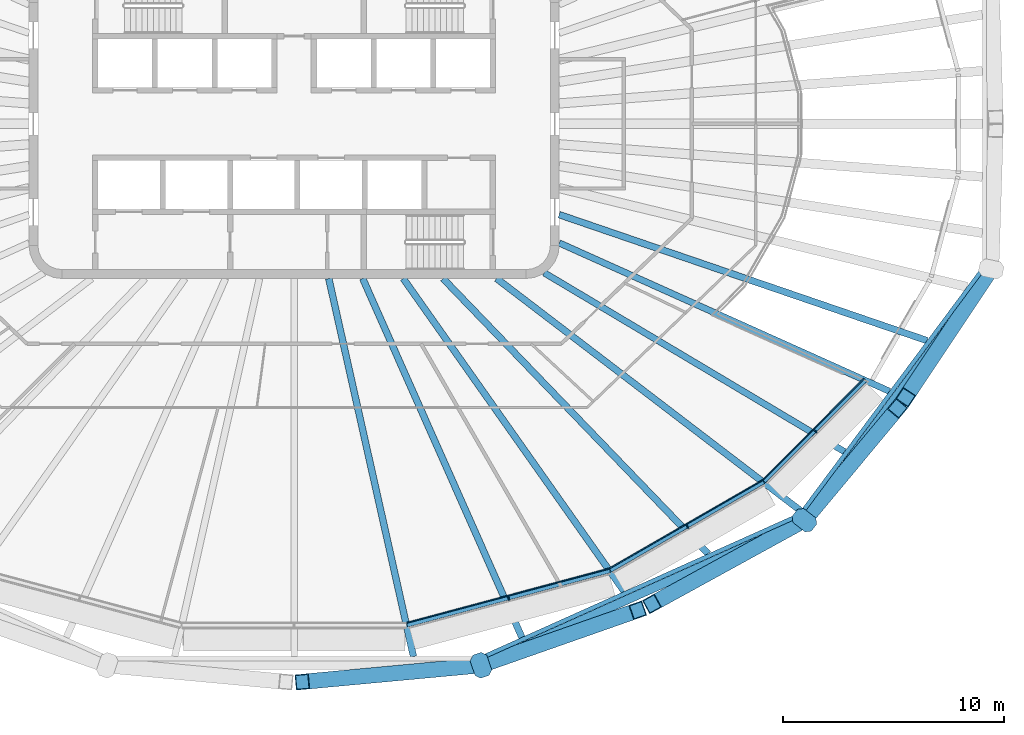
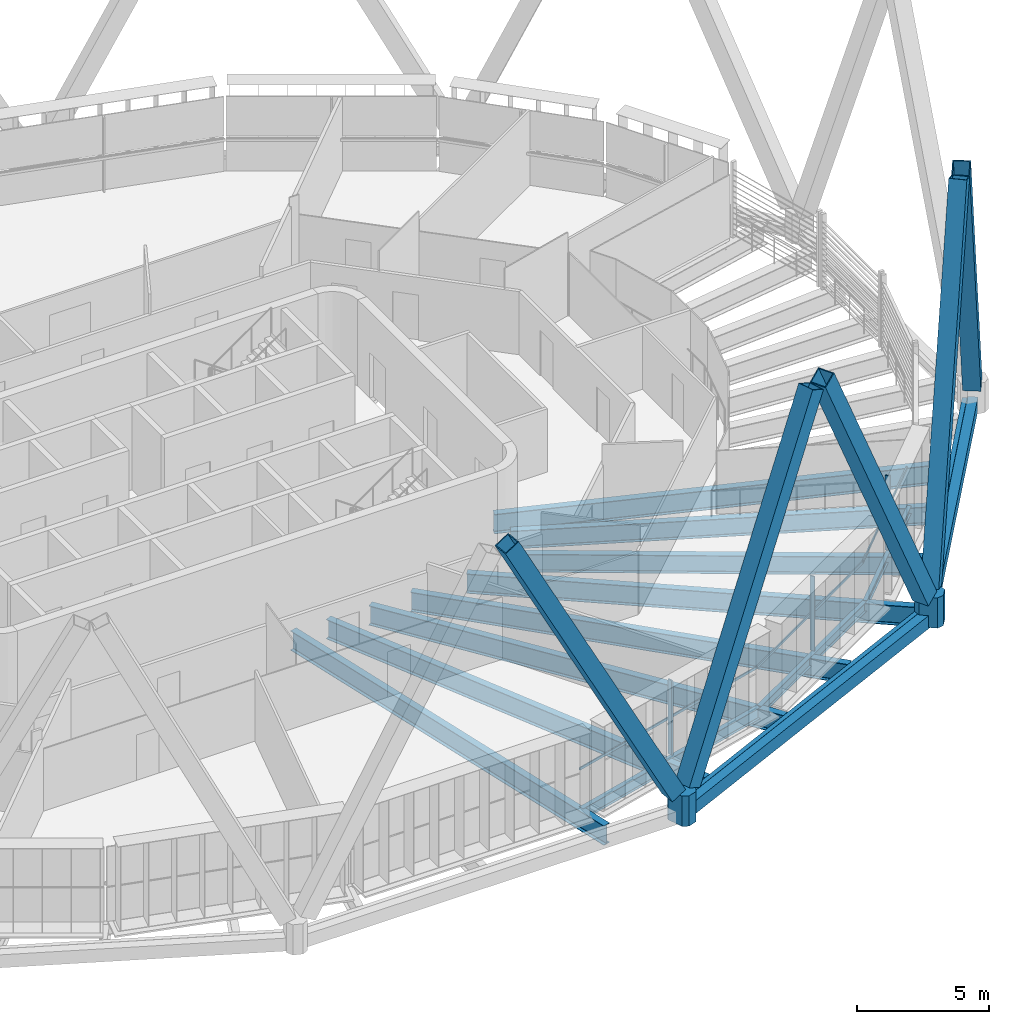
# One storey, part 4 of 20: 15 beams, 13 members, 3 elements without a shape of their own.
"""IFC4 building model written with IfcOpenShell, lengths in metres."""

import ifcopenshell
import ifcopenshell.guid

model = None  # the IFC model being written
_history = None  # IfcOwnerHistory: only IFC2X3 demands one
_inside = {}  # id of a spatial element -> (the spatial element, [elements in it])
_under = {}  # id of a project, library or spatial element -> (it, [spatial elements below it])
_declared = {}  # id of a project -> (the project, [libraries it declares])
_typed = {}  # id of a type object -> (the type object, [elements of that type])
_made_of = {}  # id of a material, layer set ... -> (it, [elements and type objects made of it])


def new_model(schema):
    """Start an empty IFC model of exactly this schema.

    Asked for "IFC4X3", IfcOpenShell would pick the latest addendum, in which some entities
    have other attributes; the version numbers below select the first issue.
    IFC2X3 requires an IfcOwnerHistory on every rooted entity: one is made here for all.
    """
    global model, _history
    if schema == "IFC4X3":
        model = ifcopenshell.file(schema_version=(4, 3, 0, 0))
    else:
        model = ifcopenshell.file(schema=schema)
    _inside.clear()
    _under.clear()
    _declared.clear()
    _typed.clear()
    _made_of.clear()
    _history = None
    if model.schema == "IFC2X3":
        org = make("IfcOrganization", Name="unknown")
        user = make(
            "IfcPersonAndOrganization",
            ThePerson=make("IfcPerson", FamilyName="unknown"),
            TheOrganization=org,
        )
        app = make(
            "IfcApplication",
            ApplicationDeveloper=org,
            Version="unknown",
            ApplicationFullName="unknown",
            ApplicationIdentifier="unknown",
        )
        _history = make(
            "IfcOwnerHistory",
            OwningUser=user,
            OwningApplication=app,
            ChangeAction="ADDED",
            CreationDate=0,
        )
    return model


def make(cls, **values):
    """One entity of the class cls with the attributes given. An attribute that is None is left unset."""
    return model.create_entity(
        cls, **{name: value for name, value in values.items() if value is not None}
    )


def rooted(cls, **values):
    """An entity with a GlobalId (a new one), such as an element, a storey or a relation."""
    return make(cls, GlobalId=ifcopenshell.guid.new(), OwnerHistory=_history, **values)


def si_unit(unit_type, name, prefix=None):
    """IfcSIUnit, for example si_unit("LENGTHUNIT", "METRE", prefix="MILLI")."""
    return make("IfcSIUnit", UnitType=unit_type, Prefix=prefix, Name=name)


def assignment(units):
    """IfcUnitAssignment: the units of a project."""
    return None if units is None else make("IfcUnitAssignment", Units=units)


def point(xyz):
    """IfcCartesianPoint."""
    return None if xyz is None else make("IfcCartesianPoint", Coordinates=xyz)


def direction(xyz):
    """IfcDirection."""
    return None if xyz is None else make("IfcDirection", DirectionRatios=xyz)


def frame(location, z_axis=None, x_axis=None):
    """IfcAxis2Placement3D, a coordinate frame: its origin and axes. An axis left out is left unset."""
    return make(
        "IfcAxis2Placement3D",
        Location=point(location),
        Axis=direction(z_axis),
        RefDirection=direction(x_axis),
    )


def frame_2d(location, x_axis=None):
    """IfcAxis2Placement2D, a coordinate frame in the plane: its origin and x axis."""
    return make(
        "IfcAxis2Placement2D", Location=point(location), RefDirection=direction(x_axis)
    )


def origin():
    """The frame at (0, 0, 0) with its axes left unset."""
    return frame((0.0, 0.0, 0.0))


def origin_2d():
    """The frame at (0, 0) in the plane with its x axis left unset."""
    return frame_2d((0.0, 0.0))


def place(relative_to, where):
    """IfcLocalPlacement: puts the frame where relative to a parent placement (None: the world)."""
    return make(
        "IfcLocalPlacement", PlacementRelTo=relative_to, RelativePlacement=where
    )


def context(
    kind, dimensions, precision=None, world=None, true_north=None, identifier=None
):
    """IfcGeometricRepresentationContext, for example the 3D "Model" context."""
    return make(
        "IfcGeometricRepresentationContext",
        ContextIdentifier=identifier,
        ContextType=kind,
        CoordinateSpaceDimension=dimensions,
        Precision=precision,
        WorldCoordinateSystem=world,
        TrueNorth=true_north,
    )


def subcontext(parent, identifier, kind, view, scale=None):
    """IfcGeometricRepresentationSubContext, for example "Body" below "Model"."""
    return make(
        "IfcGeometricRepresentationSubContext",
        ContextIdentifier=identifier,
        ContextType=kind,
        ParentContext=parent,
        TargetScale=scale,
        TargetView=view,
    )


def project(units=None, contexts=None):
    """IfcProject with its units and contexts."""
    return rooted(
        "IfcProject",
        Name="project",
        RepresentationContexts=contexts,
        UnitsInContext=assignment(units),
    )


def spatial(cls, under=None, at=None, **own):
    """A site, building, storey or space (cls), placed at a placement, below another one or the project."""
    s = rooted(cls, ObjectPlacement=at, **own)
    if under is not None:
        _under.setdefault(under.id(), (under, []))[1].append(s)
    return s


def polyline(points):
    """IfcPolyline through the points."""
    return make("IfcPolyline", Points=[point(p) for p in points])


def profile(cls, at=None, kind="AREA", **sizes):
    """A parametric profile (cls). Its sizes go by their IFC names, for example OverallWidth=200.0."""
    return make(cls, ProfileType=kind, Position=at, **sizes)


def rectangle(**sizes):
    """IfcRectangleProfileDef."""
    return profile("IfcRectangleProfileDef", **sizes)


def hollow_rectangle(**sizes):
    """IfcRectangleHollowProfileDef."""
    return profile("IfcRectangleHollowProfileDef", **sizes)


def i_section(**sizes):
    """IfcIShapeProfileDef."""
    return profile("IfcIShapeProfileDef", **sizes)


def outline(outer, holes=None, kind="AREA"):
    """IfcArbitraryClosedProfileDef: a profile drawn as a closed curve; with holes, ...WithVoids."""
    if holes is None:
        return make("IfcArbitraryClosedProfileDef", ProfileType=kind, OuterCurve=outer)
    return make(
        "IfcArbitraryProfileDefWithVoids",
        ProfileType=kind,
        OuterCurve=outer,
        InnerCurves=holes,
    )


def extrude(swept, where, along, depth):
    """IfcExtrudedAreaSolid: the profile swept, set in the frame where, extruded along a direction by depth."""
    return make(
        "IfcExtrudedAreaSolid",
        SweptArea=swept,
        Position=where,
        ExtrudedDirection=direction(along),
        Depth=depth,
    )


def shape(context_of_items, identifier, shape_type, items):
    """IfcShapeRepresentation: the items that make up one representation, for example the "Body"."""
    return make(
        "IfcShapeRepresentation",
        ContextOfItems=context_of_items,
        RepresentationIdentifier=identifier,
        RepresentationType=shape_type,
        Items=items,
    )


def material(Name=None, Category=None):
    """IfcMaterial."""
    return make("IfcMaterial", Name=Name, Category=Category)


def layer(
    of_material, thickness, ventilated=None, Name=None, Category=None, Priority=None
):
    """IfcMaterialLayer: one layer of a wall or slab, of a material (None: an air gap)."""
    return make(
        "IfcMaterialLayer",
        Material=of_material,
        LayerThickness=thickness,
        IsVentilated=ventilated,
        Name=Name,
        Category=Category,
        Priority=Priority,
    )


def layer_set(layers, Name=None):
    """IfcMaterialLayerSet."""
    return make("IfcMaterialLayerSet", MaterialLayers=layers, LayerSetName=Name)


def material_profile(
    of_material, cross_section, Name=None, Category=None, Priority=None
):
    """IfcMaterialProfile: a cross section and its material."""
    return make(
        "IfcMaterialProfile",
        Name=Name,
        Material=of_material,
        Profile=cross_section,
        Priority=Priority,
        Category=Category,
    )


def profile_set(profiles, Name=None, composite=None):
    """IfcMaterialProfileSet."""
    return make(
        "IfcMaterialProfileSet",
        Name=Name,
        MaterialProfiles=profiles,
        CompositeProfile=composite,
    )


def made_of(thing, what):
    """Note that an element or type object is made of a material, layer set ...; save() writes the relation."""
    if what is not None:
        _made_of.setdefault(what.id(), (what, []))[1].append(thing)
    return thing


def type_object(cls, material=None, **own):
    """A type object (cls), such as IfcWallType, which elements share."""
    return made_of(rooted(cls, **own), material)


def element(
    cls,
    number,
    at=None,
    inside=None,
    cuts=None,
    type_object=None,
    material=None,
    context=None,
    identifier="Body",
    shape_type=None,
    held_by="IfcProductDefinitionShape",
    body=None,
    shapes=None,
    **own,
):
    """One element of the class cls, such as IfcWall. Its Tag is "e" and its number.

    at: its placement. inside: the storey or other place that contains it. cuts: it is an
    opening in that element (IfcRelVoidsElement). A single representation is given by context,
    identifier, shape_type and body (its items); several are given by shapes. held_by: the class
    of the entity that holds the representations. save() writes the other relations.
    """
    e = rooted(cls, Tag="e%d" % number, ObjectPlacement=at, **own)
    if body is not None:
        shapes = [shape(context, identifier, shape_type, body)]
    if shapes is not None:
        e.Representation = make(held_by, Representations=shapes)
    if inside is not None:
        _inside.setdefault(inside.id(), (inside, []))[1].append(e)
    if cuts is not None:
        rooted(
            "IfcRelVoidsElement", RelatingBuildingElement=cuts, RelatedOpeningElement=e
        )
    if type_object is not None:
        _typed.setdefault(type_object.id(), (type_object, []))[1].append(e)
    return made_of(e, material)


def aggregate(whole, parts):
    """IfcRelAggregates: a whole, such as a stair, and the parts it consists of."""
    return rooted("IfcRelAggregates", RelatingObject=whole, RelatedObjects=parts)


def save(model, path):
    """Write the relations noted so far, then the file.

    IfcRelAggregates (storeys below a building ...), IfcRelContainedInSpatialStructure (elements
    in a storey), IfcRelDefinesByType, IfcRelAssociatesMaterial and IfcRelDeclares: one each for
    every whole, place, type object, material and project.
    """
    for whole, parts in _under.values():
        aggregate(whole, parts)
    for where, things in _inside.values():
        rooted(
            "IfcRelContainedInSpatialStructure",
            RelatedElements=things,
            RelatingStructure=where,
        )
    for kind, things in _typed.values():
        rooted("IfcRelDefinesByType", RelatedObjects=things, RelatingType=kind)
    for what, things in _made_of.values():
        rooted("IfcRelAssociatesMaterial", RelatedObjects=things, RelatingMaterial=what)
    for by, libraries in _declared.values():
        rooted("IfcRelDeclares", RelatingContext=by, RelatedDefinitions=libraries)
    model.write(path)


model = new_model("IFC4")

# Units and contexts
model_context = context("Model", 3, precision=1e-05, world=origin(), true_north=direction((0.0, 1.0)))
body_context = subcontext(model_context, "Body", "Model", "MODEL_VIEW")
ifc_project = project(units=[si_unit("LENGTHUNIT", "METRE"), si_unit("AREAUNIT", "SQUARE_METRE"), si_unit("VOLUMEUNIT", "CUBIC_METRE"), si_unit("PLANEANGLEUNIT", "RADIAN"), si_unit("MASSUNIT", "GRAM", prefix="KILO")], contexts=[model_context])

# Site, building, storey
site_placement = place(None, origin())
site = spatial("IfcSite", under=ifc_project, at=site_placement, CompositionType="ELEMENT")
building_placement = place(site_placement, origin())
building = spatial("IfcBuilding", under=site, at=building_placement, Name="Sahrelin Media Tower", CompositionType="ELEMENT")
storey_placement = place(building_placement, frame((0.0, 0.0, 267.0)))
storey = spatial("IfcBuildingStorey", under=building, at=storey_placement, Name="L58", CompositionType="ELEMENT", Elevation=267.0)

# Members
ifc_material_1 = material(Name="Steel S460", Category="steel")
ifc_material_profile_1 = material_profile(ifc_material_1, hollow_rectangle(XDim=0.699951171875, YDim=0.699951171875, WallThickness=0.0400390625, at=origin_2d()), Name="Diagrid diagonal DG7")
ifc_profile_set_1 = profile_set([ifc_material_profile_1], Name="Steel S460")
member_type_1 = type_object("IfcMemberType", Name="Diagrid diagonal DG7", PredefinedType="BRACE", material=ifc_profile_set_1)
member_1_placement = place(storey_placement, frame((8.083984375, -24.5400390625, 0.699951171875), z_axis=(-0.466722756786, -0.043323665084, 0.883341909083), x_axis=(0.092427918345, -0.995719378093, 0.0)))
element("IfcMember", 1, at=member_1_placement, inside=storey, type_object=member_type_1, Name="Diagrid diagonal D13-18", PredefinedType="BRACE", context=body_context, shape_type="SweptSolid", body=[
    extrude(hollow_rectangle(XDim=0.699951171875, YDim=0.699951171875, WallThickness=0.0400390625, at=origin_2d()), origin(), (0.0, 0.0, 1.0), 16.5283203125),
])
member_2_placement = place(storey_placement, frame((8.77880859375, -24.391845703125, 0.699951171875), z_axis=(0.416459406995, 0.146017384502, 0.897351929707), x_axis=(-0.330868348448, 0.943676923526, 0.0)))
element("IfcMember", 2, at=member_2_placement, inside=storey, type_object=member_type_1, Name="Diagrid diagonal D13-19", PredefinedType="BRACE", context=body_context, shape_type="SweptSolid", body=[
    extrude(hollow_rectangle(XDim=0.699951171875, YDim=0.699951171875, WallThickness=0.0400390625, at=origin_2d()), origin(), (0.0, 0.0, 1.0), 16.270263671875),
])
member_3_placement = place(storey_placement, frame((22.781005859375, -18.11279296875, 0.699951171875), z_axis=(-0.401082737741, -0.220220071499, 0.889177011396), x_axis=(0.481288676919, -0.876562153797, 0.0)))
element("IfcMember", 3, at=member_3_placement, inside=storey, type_object=member_type_1, Name="Diagrid diagonal D13-20", PredefinedType="BRACE", context=body_context, shape_type="SweptSolid", body=[
    extrude(hollow_rectangle(XDim=0.699951171875, YDim=0.699951171875, WallThickness=0.0400390625, at=origin_2d()), origin(), (0.0, 0.0, 1.0), 16.419677734375),
])
member_4_placement = place(storey_placement, frame((23.28955078125, -17.7080078125, 0.699951171875), z_axis=(0.253020215996, 0.303919147392, 0.918484579155), x_axis=(-0.768526802736, 0.639817593909, 0.0)))
element("IfcMember", 4, at=member_4_placement, inside=storey, type_object=member_type_1, Name="Diagrid diagonal D13-21", PredefinedType="BRACE", context=body_context, shape_type="SweptSolid", body=[
    extrude(hollow_rectangle(XDim=0.699951171875, YDim=0.699951171875, WallThickness=0.0400390625, at=origin_2d()), origin(), (0.0, 0.0, 1.0), 15.895751953125),
])
member_5_placement = place(storey_placement, frame((31.37353515625, -6.832275390625, 0.699951171875), z_axis=(-0.230056417556, -0.345639877226, 0.909729146511), x_axis=(0.832461543053, -0.554082827146, 0.0)))
element("IfcMember", 5, at=member_5_placement, inside=storey, type_object=member_type_1, Name="Diagrid diagonal D13-22", PredefinedType="BRACE", context=body_context, shape_type="SweptSolid", body=[
    extrude(hollow_rectangle(XDim=0.699951171875, YDim=0.699951171875, WallThickness=0.0400390625, at=origin_2d()), origin(), (0.0, 0.0, 1.0), 16.048828125),
])
ifc_material_profile_2 = material_profile(ifc_material_1, outline(polyline([(0.35009765625, -0.39990234375), (0.550048828125, -0.199951171875), (0.550048828125, 0.199951171875), (0.35009765625, 0.39990234375), (-0.35009765625, 0.39990234375), (-0.550048828125, 0.199951171875), (-0.550048828125, -0.199951171875), (-0.35009765625, -0.39990234375), (0.35009765625, -0.39990234375)])), Name="Diagrid node block 1100")
ifc_profile_set_2 = profile_set([ifc_material_profile_2], Name="Steel S460")
member_type_2 = type_object("IfcMemberType", Name="Diagrid node block 1100", PredefinedType="USERDEFINED", material=ifc_profile_set_2)
for number, where, z_axis, x_axis, name in (
    (6, (8.4541015625, -24.505859375, -0.699951171875), (0.0, 0.0, 1.0), (0.326119279679, -0.945328628267, 0.0), "Diagrid node N13-09"),
    (7, (23.0966796875, -17.939453125, -0.699951171875), (0.0, 0.0, 1.0), (0.789760120156, -0.613415807272, 0.0), "Diagrid node N13-10"),
):
    element("IfcMember", number, at=place(storey_placement, frame(where, z_axis=z_axis, x_axis=x_axis)), inside=storey, type_object=member_type_2, Name=name, ObjectType="NODE", PredefinedType="USERDEFINED", context=body_context, shape_type="SweptSolid", body=[
        extrude(outline(polyline([(0.35009765625, -0.39990234375), (0.550048828125, -0.199951171875), (0.550048828125, 0.199951171875), (0.35009765625, 0.39990234375), (-0.35009765625, 0.39990234375), (-0.550048828125, 0.199951171875), (-0.550048828125, -0.199951171875), (-0.35009765625, -0.39990234375), (0.35009765625, -0.39990234375)])), origin(), (0.0, 0.0, 1.0), 1.39990234375),
    ])

# Beams
ifc_material_profile_3 = material_profile(ifc_material_1, hollow_rectangle(XDim=0.39990234375, YDim=0.60009765625, WallThickness=0.030029296875, at=origin_2d()), Name="Diagrid ring beam RB1")
ifc_profile_set_3 = profile_set([ifc_material_profile_3], Name="Steel S460")
beam_type_1 = type_object("IfcBeamType", Name="Diagrid ring beam RB1", PredefinedType="BEAM", material=ifc_profile_set_3)
beam_1_placement = place(storey_placement, frame((8.4541015625, -24.505859375, -0.449951171875), z_axis=(0.912451353014, 0.409185200591, 0.0), x_axis=(-0.409185200591, 0.912451353014, 0.0)))
element("IfcBeam", 8, at=beam_1_placement, inside=storey, type_object=beam_type_1, Name="Diagrid ring beam RB13-09", PredefinedType="BEAM", context=body_context, shape_type="SweptSolid", body=[
    extrude(hollow_rectangle(XDim=0.39990234375, YDim=0.60009765625, WallThickness=0.030029296875, at=origin_2d()), origin(), (0.0, 0.0, 1.0), 16.047607421875),
])
beam_2_placement = place(storey_placement, frame((23.0966796875, -17.939453125, -0.449951171875), z_axis=(0.596565361307, 0.802564495657, 0.0), x_axis=(-0.802564495657, 0.596565361307, 0.0)))
element("IfcBeam", 9, at=beam_2_placement, inside=storey, type_object=beam_type_1, Name="Diagrid ring beam RB13-10", PredefinedType="BEAM", context=body_context, shape_type="SweptSolid", body=[
    extrude(hollow_rectangle(XDim=0.39990234375, YDim=0.60009765625, WallThickness=0.030029296875, at=origin_2d()), origin(), (0.0, 0.0, 1.0), 14.1708984375),
])
ifc_material_2 = material(Name="Steel S355", Category="steel")
ifc_material_profile_4 = material_profile(ifc_material_2, i_section(OverallWidth=0.17138671875, OverallDepth=0.35498046875, WebThickness=0.00732421875, FlangeThickness=0.011474609375, FilletRadius=0.01025390625, at=origin_2d()), Name="UB 356x171x51")
ifc_profile_set_4 = profile_set([ifc_material_profile_4], Name="Steel S355")
beam_type_2 = type_object("IfcBeamType", Name="Edge beam EB3", PredefinedType="BEAM", material=ifc_profile_set_4)
beam_3_placement = place(storey_placement, frame((25.864990234375, -11.5947265625, -0.327392578125), z_axis=(-0.707087970402, -0.70712559147, 0.0), x_axis=(0.70712559147, -0.707087970402, 0.0)))
element("IfcBeam", 10, at=beam_3_placement, inside=storey, type_object=beam_type_2, Name="Edge beam L58-01", PredefinedType="BEAM", context=body_context, shape_type="SweptSolid", body=[
    extrude(i_section(OverallWidth=0.17138671875, OverallDepth=0.35498046875, WebThickness=0.00732421875, FlangeThickness=0.011474609375, FilletRadius=0.01025390625, at=origin_2d()), origin(), (0.0, 0.0, 1.0), 6.489501953125),
])
ifc_material_profile_5 = material_profile(ifc_material_2, i_section(OverallWidth=0.1904296875, OverallDepth=0.45703125, WebThickness=0.009033203125, FlangeThickness=0.014404296875, FilletRadius=0.01025390625, at=origin_2d()), Name="UB 457x191x74")
ifc_profile_set_5 = profile_set([ifc_material_profile_5], Name="Steel S355")
beam_type_3 = type_object("IfcBeamType", Name="Edge beam EB5", PredefinedType="BEAM", material=ifc_profile_set_5)
beam_4_placement = place(storey_placement, frame((21.25341796875, -16.200927734375, -0.37841796875), z_axis=(-0.866022619654, -0.500004822225, 0.0), x_axis=(0.500004822225, -0.866022619654, 0.0)))
element("IfcBeam", 11, at=beam_4_placement, inside=storey, type_object=beam_type_3, Name="Edge beam L58-02", PredefinedType="BEAM", context=body_context, shape_type="SweptSolid", body=[
    extrude(i_section(OverallWidth=0.1904296875, OverallDepth=0.45703125, WebThickness=0.009033203125, FlangeThickness=0.014404296875, FilletRadius=0.01025390625, at=origin_2d()), origin(), (0.0, 0.0, 1.0), 8.00830078125),
])
ifc_material_profile_6 = material_profile(ifc_material_2, i_section(OverallWidth=0.208740234375, OverallDepth=0.5283203125, WebThickness=0.009521484375, FlangeThickness=0.01318359375, FilletRadius=0.0126953125, at=origin_2d()), Name="UB 533x210x82")
ifc_profile_set_6 = profile_set([ifc_material_profile_6], Name="Steel S355")
beam_type_4 = type_object("IfcBeamType", Name="Edge beam EB6", PredefinedType="BEAM", material=ifc_profile_set_6)
beam_5_placement = place(storey_placement, frame((14.29150390625, -20.21630859375, -0.4140625), z_axis=(-0.965929019762, -0.258807126605, 0.0), x_axis=(0.258807126605, -0.965929019762, 0.0)))
element("IfcBeam", 12, at=beam_5_placement, inside=storey, type_object=beam_type_4, Name="Edge beam L58-03", PredefinedType="BEAM", context=body_context, shape_type="SweptSolid", body=[
    extrude(i_section(OverallWidth=0.208740234375, OverallDepth=0.5283203125, WebThickness=0.009521484375, FlangeThickness=0.01318359375, FilletRadius=0.0126953125, at=origin_2d()), origin(), (0.0, 0.0, 1.0), 9.5048828125),
])

# Curtain wall, member
ifc_material_3 = material(Name="Champagne anodised aluminium 6063-T6", Category="aluminium")
ifc_layer = layer(ifc_material_3, 0.14990234375)
ifc_layer_set = layer_set([ifc_layer], Name="Tower ribbon curtain wall")
curtain_wall_type = type_object("IfcCurtainWallType", Name="Tower ribbon curtain wall", PredefinedType="NOTDEFINED", material=ifc_layer_set)
curtain_wall_1_placement = place(storey_placement, frame((9.73974609375, -21.591064453125, 0.0), z_axis=(0.0, 0.0, 1.0), x_axis=(1.0, 0.0, 0.0)))
curtain_wall_1 = element("IfcCurtainWall", 13, at=curtain_wall_1_placement, inside=storey, type_object=curtain_wall_type, Name="L58:CW:L58-19", PredefinedType="NOTDEFINED")
ifc_material_profile_7 = material_profile(ifc_material_3, rectangle(XDim=0.06005859375, YDim=0.199951171875, at=origin_2d()), Name="Mullion 60x200")
ifc_profile_set_7 = profile_set([ifc_material_profile_7], Name="Champagne anodised aluminium 6063-T6")
member_type_3 = type_object("IfcMemberType", Name="Mullion 60x200 CW1C", PredefinedType="MULLION", material=ifc_profile_set_7)
member_6_placement = place(storey_placement, frame((9.708740234375, -21.47509765625, 0.0), z_axis=(0.0, 0.0, 1.0), x_axis=(0.965924922834, 0.258822416818, 0.0)))
member_6 = element("IfcMember", 14, at=member_6_placement, type_object=member_type_3, Name="L58:CWM:L58-19", PredefinedType="MULLION", context=body_context, shape_type="SweptSolid", body=[
    extrude(rectangle(XDim=0.06005859375, YDim=0.199951171875, at=origin_2d()), origin(), (0.0, 0.0, 1.0), 3.448486328125),
])

curtain_wall_2_placement = place(storey_placement, frame((17.86083984375, -18.3330078125, 0.0), z_axis=(0.0, 0.0, 1.0), x_axis=(1.0, 0.0, 0.0)))
curtain_wall_2 = element("IfcCurtainWall", 15, at=curtain_wall_2_placement, inside=storey, type_object=curtain_wall_type, Name="L58:CW:L58-20", PredefinedType="NOTDEFINED")
member_7_placement = place(storey_placement, frame((17.80078125, -18.22900390625, 0.0), z_axis=(0.0, 0.0, 1.0), x_axis=(0.866025403784, 0.5, 0.0)))
member_7 = element("IfcMember", 16, at=member_7_placement, type_object=member_type_3, Name="L58:CWM:L58-20", PredefinedType="MULLION", context=body_context, shape_type="SweptSolid", body=[
    extrude(rectangle(XDim=0.06005859375, YDim=0.199951171875, at=origin_2d()), origin(), (0.0, 0.0, 1.0), 3.448486328125),
])

curtain_wall_3_placement = place(storey_placement, frame((23.6767578125, -13.9951171875, 0.0), z_axis=(0.0, 0.0, 1.0), x_axis=(1.0, 0.0, 0.0)))
curtain_wall_3 = element("IfcCurtainWall", 17, at=curtain_wall_3_placement, inside=storey, type_object=curtain_wall_type, Name="L58:CW:L58-21", PredefinedType="NOTDEFINED")
member_8_placement = place(storey_placement, frame((23.591796875, -13.910400390625, 0.0), z_axis=(0.0, 0.0, 1.0), x_axis=(0.707106781187, 0.707106781187, 0.0)))
member_8 = element("IfcMember", 18, at=member_8_placement, type_object=member_type_3, Name="L58:CWM:L58-21", PredefinedType="MULLION", context=body_context, shape_type="SweptSolid", body=[
    extrude(rectangle(XDim=0.06005859375, YDim=0.199951171875, at=origin_2d()), origin(), (0.0, 0.0, 1.0), 3.448486328125),
])

# Beams
ifc_material_profile_8 = material_profile(ifc_material_2, i_section(OverallWidth=0.291748046875, OverallDepth=0.8349609375, WebThickness=0.013916015625, FlangeThickness=0.018798828125, FilletRadius=0.017822265625, at=origin_2d()), Name="UB 838x292x176")
ifc_profile_set_8 = profile_set([ifc_material_profile_8], Name="Steel S355")
beam_type_5 = type_object("IfcBeamType", Name="Radial primary beam PB10", PredefinedType="BEAM", material=ifc_profile_set_8)
beam_6_placement = place(storey_placement, frame((12.0, -5.39013671875, -0.5673828125), z_axis=(0.912200990359, -0.409743033116, 0.0), x_axis=(0.409743033116, 0.912200990359, 0.0)))
element("IfcBeam", 19, at=beam_6_placement, inside=storey, type_object=beam_type_5, Name="Radial beam L58-22", PredefinedType="BEAM", context=body_context, shape_type="SweptSolid", body=[
    extrude(i_section(OverallWidth=0.291748046875, OverallDepth=0.8349609375, WebThickness=0.013916015625, FlangeThickness=0.018798828125, FilletRadius=0.017822265625, at=origin_2d()), origin(), (0.0, 0.0, 1.0), 16.38134765625),
])
ifc_material_profile_9 = material_profile(ifc_material_2, i_section(OverallWidth=0.30322265625, OverallDepth=0.903076171875, WebThickness=0.01513671875, FlangeThickness=0.020263671875, FilletRadius=0.01904296875, at=origin_2d()), Name="UB 914x305x201")
ifc_profile_set_9 = profile_set([ifc_material_profile_9], Name="Steel S355")
beam_type_6 = type_object("IfcBeamType", Name="Radial primary beam PB11", PredefinedType="BEAM", material=ifc_profile_set_9)
beam_7_placement = place(storey_placement, frame((1.568603515625, -7.0, -0.6015625), z_axis=(0.218665284785, -0.975799924795, 0.0), x_axis=(0.975799924795, 0.218665284785, 0.0)))
element("IfcBeam", 20, at=beam_7_placement, inside=storey, type_object=beam_type_6, Name="Radial beam L58-19", PredefinedType="BEAM", context=body_context, shape_type="SweptSolid", body=[
    extrude(i_section(OverallWidth=0.30322265625, OverallDepth=0.903076171875, WebThickness=0.01513671875, FlangeThickness=0.020263671875, FilletRadius=0.01904296875, at=origin_2d()), origin(), (0.0, 0.0, 1.0), 17.53466796875),
])
beam_8_placement = place(storey_placement, frame((4.940185546875, -7.0, -0.6015625), z_axis=(0.576608007265, -0.817020933611, 0.0), x_axis=(0.817020933611, 0.576608007265, 0.0)))
element("IfcBeam", 21, at=beam_8_placement, inside=storey, type_object=beam_type_6, Name="Radial beam L58-20", PredefinedType="BEAM", context=body_context, shape_type="SweptSolid", body=[
    extrude(i_section(OverallWidth=0.30322265625, OverallDepth=0.903076171875, WebThickness=0.01513671875, FlangeThickness=0.020263671875, FilletRadius=0.01904296875, at=origin_2d()), origin(), (0.0, 0.0, 1.0), 17.337646484375),
])
beam_9_placement = place(storey_placement, frame((9.16455078125, -7.0, -0.6015625), z_axis=(0.794694720447, -0.607009309067, 0.0), x_axis=(0.607009309067, 0.794694720447, 0.0)))
element("IfcBeam", 22, at=beam_9_placement, inside=storey, type_object=beam_type_6, Name="Radial beam L58-21", PredefinedType="BEAM", context=body_context, shape_type="SweptSolid", body=[
    extrude(i_section(OverallWidth=0.30322265625, OverallDepth=0.903076171875, WebThickness=0.01513671875, FlangeThickness=0.020263671875, FilletRadius=0.01904296875, at=origin_2d()), origin(), (0.0, 0.0, 1.0), 17.313720703125),
])
ifc_material_profile_10 = material_profile(ifc_material_2, i_section(OverallWidth=0.291748046875, OverallDepth=0.8349609375, WebThickness=0.013916015625, FlangeThickness=0.018798828125, FilletRadius=0.017822265625, at=origin_2d()), Name="UB 838x292x176")
ifc_profile_set_10 = profile_set([ifc_material_profile_10], Name="Steel S355")
beam_type_7 = type_object("IfcBeamType", Name="Radial secondary beam SB10", PredefinedType="BEAM", material=ifc_profile_set_10)
beam_10_placement = place(storey_placement, frame((11.32177734375, -6.743896484375, -0.5673828125), z_axis=(0.859123060499, -0.511769056234, 0.0), x_axis=(0.511769056234, 0.859123060499, 0.0)))
element("IfcBeam", 23, at=beam_10_placement, inside=storey, type_object=beam_type_7, Name="Secondary beam L58-21", PredefinedType="BEAM", context=body_context, shape_type="SweptSolid", body=[
    extrude(i_section(OverallWidth=0.291748046875, OverallDepth=0.8349609375, WebThickness=0.013916015625, FlangeThickness=0.018798828125, FilletRadius=0.017822265625, at=origin_2d()), origin(), (0.0, 0.0, 1.0), 15.815673828125),
])
ifc_material_profile_11 = material_profile(ifc_material_2, i_section(OverallWidth=0.30322265625, OverallDepth=0.903076171875, WebThickness=0.01513671875, FlangeThickness=0.020263671875, FilletRadius=0.01904296875, at=origin_2d()), Name="UB 914x305x201")
ifc_profile_set_11 = profile_set([ifc_material_profile_11], Name="Steel S355")
beam_type_8 = type_object("IfcBeamType", Name="Radial secondary beam SB11", PredefinedType="BEAM", material=ifc_profile_set_11)
beam_11_placement = place(storey_placement, frame((3.10498046875, -7.0, -0.6015625), z_axis=(0.40548556811, -0.91410144626, 0.0), x_axis=(0.91410144626, 0.40548556811, 0.0)))
element("IfcBeam", 24, at=beam_11_placement, inside=storey, type_object=beam_type_8, Name="Secondary beam L58-19", PredefinedType="BEAM", context=body_context, shape_type="SweptSolid", body=[
    extrude(i_section(OverallWidth=0.30322265625, OverallDepth=0.903076171875, WebThickness=0.01513671875, FlangeThickness=0.020263671875, FilletRadius=0.01904296875, at=origin_2d()), origin(), (0.0, 0.0, 1.0), 17.7666015625),
])
beam_12_placement = place(storey_placement, frame((6.740966796875, -7.0, -0.6015625), z_axis=(0.693643314436, -0.720318646391, 0.0), x_axis=(0.720318646391, 0.693643314436, 0.0)))
element("IfcBeam", 25, at=beam_12_placement, inside=storey, type_object=beam_type_8, Name="Secondary beam L58-20", PredefinedType="BEAM", context=body_context, shape_type="SweptSolid", body=[
    extrude(i_section(OverallWidth=0.30322265625, OverallDepth=0.903076171875, WebThickness=0.01513671875, FlangeThickness=0.020263671875, FilletRadius=0.01904296875, at=origin_2d()), origin(), (0.0, 0.0, 1.0), 17.2978515625),
])
beam_13_placement = place(storey_placement, frame((12.0, -4.109375, -0.6015625), z_axis=(0.946063855962, -0.323980216128, 0.0), x_axis=(0.323980216128, 0.946063855962, 0.0)))
element("IfcBeam", 26, at=beam_13_placement, inside=storey, type_object=beam_type_8, Name="Secondary beam L58-22", PredefinedType="BEAM", context=body_context, shape_type="SweptSolid", body=[
    extrude(i_section(OverallWidth=0.30322265625, OverallDepth=0.903076171875, WebThickness=0.01513671875, FlangeThickness=0.020263671875, FilletRadius=0.01904296875, at=origin_2d()), origin(), (0.0, 0.0, 1.0), 17.595703125),
])
ifc_material_profile_12 = material_profile(ifc_material_2, i_section(OverallWidth=0.1904296875, OverallDepth=0.45703125, WebThickness=0.009033203125, FlangeThickness=0.014404296875, FilletRadius=0.01025390625, at=origin_2d()), Name="UB 457x191x74")
ifc_profile_set_12 = profile_set([ifc_material_profile_12], Name="Steel S355")
beam_type_9 = type_object("IfcBeamType", Name="Tie chord TC5", PredefinedType="BEAM", material=ifc_profile_set_12)
beam_14_placement = place(storey_placement, frame((31.25048828125, -6.466796875, -0.37841796875), z_axis=(-0.596558144765, -0.802569859835, 0.0), x_axis=(0.802569859835, -0.596558144765, 0.0)))
element("IfcBeam", 27, at=beam_14_placement, inside=storey, type_object=beam_type_9, Name="Tie chord L58-02", PredefinedType="BEAM", context=body_context, shape_type="SweptSolid", body=[
    extrude(i_section(OverallWidth=0.1904296875, OverallDepth=0.45703125, WebThickness=0.009033203125, FlangeThickness=0.014404296875, FilletRadius=0.01025390625, at=origin_2d()), origin(), (0.0, 0.0, 1.0), 13.993408203125),
])
beam_15_placement = place(storey_placement, frame((22.902587890625, -17.697509765625, -0.37841796875), z_axis=(-0.91245379845, -0.409179747414, 0.0), x_axis=(0.409179747414, -0.91245379845, 0.0)))
element("IfcBeam", 28, at=beam_15_placement, inside=storey, type_object=beam_type_9, Name="Tie chord L58-03", PredefinedType="BEAM", context=body_context, shape_type="SweptSolid", body=[
    extrude(i_section(OverallWidth=0.1904296875, OverallDepth=0.45703125, WebThickness=0.009033203125, FlangeThickness=0.014404296875, FilletRadius=0.01025390625, at=origin_2d()), origin(), (0.0, 0.0, 1.0), 15.905029296875),
])

# Member
ifc_material_profile_13 = material_profile(ifc_material_3, rectangle(XDim=0.050048828125, YDim=0.1201171875, at=origin_2d()), Name="Transom 50x120")
ifc_profile_set_13 = profile_set([ifc_material_profile_13], Name="Champagne anodised aluminium 6063-T6")
member_type_4 = type_object("IfcMemberType", Name="Transom 50x120 CW1C", PredefinedType="USERDEFINED", material=ifc_profile_set_13)
member_9_placement = place(storey_placement, frame((5.100830078125, -22.58056640625, 1.60009765625), z_axis=(0.965921133563, 0.258836557961, 0.0), x_axis=(-0.258836557961, 0.965921133563, 0.0)))
member_9 = element("IfcMember", 29, at=member_9_placement, type_object=member_type_4, Name="L58:CWT:L58-19", ObjectType="TRANSOM", PredefinedType="USERDEFINED", context=body_context, shape_type="SweptSolid", body=[
    extrude(rectangle(XDim=0.050048828125, YDim=0.1201171875, at=origin_2d()), origin(), (0.0, 0.0, 1.0), 9.4736328125),
])

aggregate(curtain_wall_1, [member_6, member_9])

member_10_placement = place(storey_placement, frame((14.2841796875, -20.114990234375, 1.60009765625), z_axis=(0.866034723298, 0.499983857782, 0.0), x_axis=(-0.499983857782, 0.866034723298, 0.0)))
member_10 = element("IfcMember", 30, at=member_10_placement, type_object=member_type_4, Name="L58:CWT:L58-20", ObjectType="TRANSOM", PredefinedType="USERDEFINED", context=body_context, shape_type="SweptSolid", body=[
    extrude(rectangle(XDim=0.050048828125, YDim=0.1201171875, at=origin_2d()), origin(), (0.0, 0.0, 1.0), 7.976806640625),
])

aggregate(curtain_wall_2, [member_7, member_10])

member_11_placement = place(storey_placement, frame((21.22021484375, -16.105224609375, 1.60009765625), z_axis=(0.707125682984, 0.707087878884, 0.0), x_axis=(-0.707087878884, 0.707125682984, 0.0)))
member_11 = element("IfcMember", 31, at=member_11_placement, type_object=member_type_4, Name="L58:CWT:L58-21", ObjectType="TRANSOM", PredefinedType="USERDEFINED", context=body_context, shape_type="SweptSolid", body=[
    extrude(rectangle(XDim=0.050048828125, YDim=0.1201171875, at=origin_2d()), origin(), (0.0, 0.0, 1.0), 6.4580078125),
])

aggregate(curtain_wall_3, [member_8, member_11])

save(model, "model.ifc")
